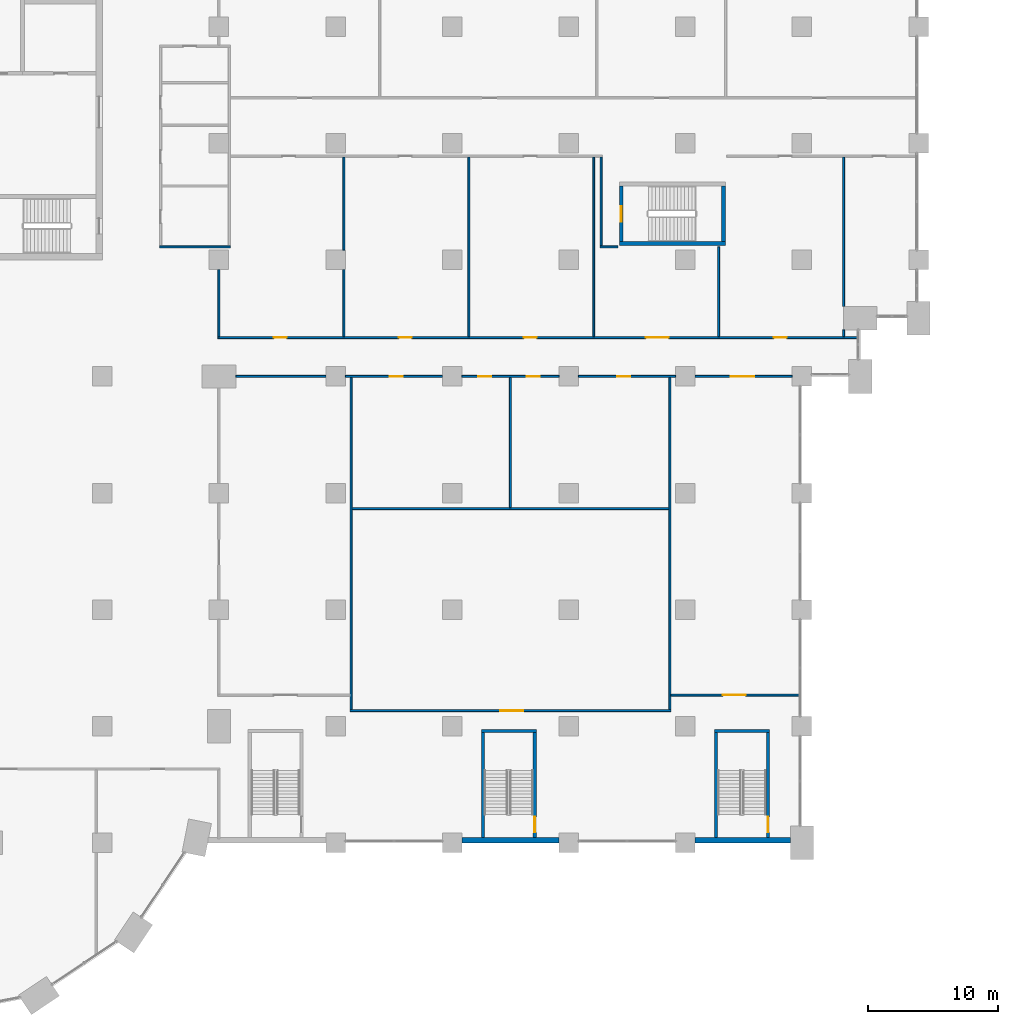
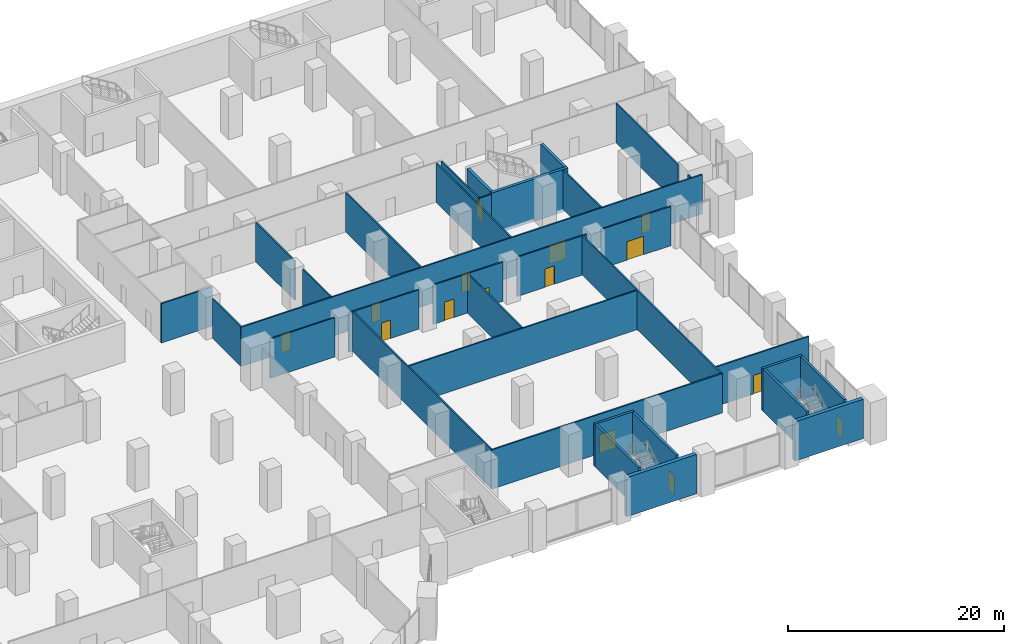
# One storey, part 14 of 31: 34 walls, 15 doors, 15 openings.
"""IFC4 building model written with IfcOpenShell, lengths in metres."""

from ifc_helpers import new_model, si_unit, direction, frame, frame_2d, origin, place, context, subcontext, project, spatial, rectangle, extrude, material, layer, layer_set, type_object, element, fill, save


model = new_model("IFC4")

# Units and contexts
model_context = context("Model", 3, precision=1e-05, world=origin(), true_north=direction((0.0, 1.0)))
body_context = subcontext(model_context, "Body", "Model", "MODEL_VIEW")
ifc_project = project(units=[si_unit("LENGTHUNIT", "METRE"), si_unit("AREAUNIT", "SQUARE_METRE"), si_unit("VOLUMEUNIT", "CUBIC_METRE"), si_unit("PLANEANGLEUNIT", "RADIAN"), si_unit("MASSUNIT", "GRAM", prefix="KILO")], contexts=[model_context])

# Site, building, storey
site_placement = place(None, origin())
site = spatial("IfcSite", under=ifc_project, at=site_placement, CompositionType="ELEMENT")
building_placement = place(site_placement, origin())
building = spatial("IfcBuilding", under=site, at=building_placement, Name="Hunhe Ridgeline Campus", CompositionType="ELEMENT")
storey_placement = place(building_placement, frame((0.0, 0.0, 16.800048828125)))
storey = spatial("IfcBuildingStorey", under=building, at=storey_placement, Name="L03", CompositionType="ELEMENT", Elevation=16.800048828125)

# Walls
ifc_material_1 = material(Name="Plastered blockwork", Category="masonry")
ifc_layer_1 = layer(ifc_material_1, 0.14990234375)
ifc_layer_set_1 = layer_set([ifc_layer_1], Name="Blockwork partition 150")
wall_type_1 = type_object("IfcWallType", Name="Blockwork partition 150", PredefinedType="PARTITIONING", material=ifc_layer_set_1)
wall_1_placement = place(storey_placement, frame((45.875, 64.0, 0.0), z_axis=(0.0, 0.0, 1.0), x_axis=(-1.0, 0.0, 0.0)))
element("IfcWall", 1, at=wall_1_placement, inside=storey, type_object=wall_type_1, Name="L03 partition", PredefinedType="PARTITIONING", context=body_context, shape_type="SweptSolid", body=[
    extrude(rectangle(XDim=5.449951171875, YDim=0.14990234375, at=frame_2d((2.72509765625, 0.0))), origin(), (0.0, 0.0, 1.0), 4.449951171875),
])
wall_2_placement = place(storey_placement, frame((74.425048828125, 64.0, 0.0), z_axis=(0.0, 0.0, 1.0), x_axis=(1.0, 0.0, 0.0)))
element("IfcWall", 2, at=wall_2_placement, inside=storey, type_object=wall_type_1, Name="L03 partition", PredefinedType="PARTITIONING", context=body_context, shape_type="SweptSolid", body=[
    extrude(rectangle(XDim=1.375, YDim=0.14990234375, at=frame_2d((0.6875, 0.0))), origin(), (0.0, 0.0, 1.0), 4.449951171875),
])
for number, where, z_axis, x_axis, name in (
    (3, (55.199951171875, 28.27490234375, 0.0), (0.0, 0.0, 1.0), (0.0, 1.0, 0.0), "L03 partition"),
    (4, (79.800048828125, 28.27490234375, 0.0), (0.0, 0.0, 1.0), (0.0, 1.0, 0.0), "L03 partition"),
):
    element("IfcWall", number, at=place(storey_placement, frame(where, z_axis=z_axis, x_axis=x_axis)), inside=storey, type_object=wall_type_1, Name=name, PredefinedType="PARTITIONING", context=body_context, shape_type="SweptSolid", body=[
        extrude(rectangle(XDim=25.650146484375, YDim=0.14990234375, at=frame_2d((12.8251953125, 0.0))), origin(), (0.0, 0.0, 1.0), 4.449951171875),
    ])
wall_3_placement = place(storey_placement, frame((55.27490234375, 43.800048828125, 0.0), z_axis=(0.0, 0.0, 1.0), x_axis=(1.0, 0.0, 0.0)))
element("IfcWall", 5, at=wall_3_placement, inside=storey, type_object=wall_type_1, Name="L03 partition", PredefinedType="PARTITIONING", context=body_context, shape_type="SweptSolid", body=[
    extrude(rectangle(XDim=24.4501953125, YDim=0.14990234375, at=frame_2d((12.22509765625, 0.0))), origin(), (0.0, 0.0, 1.0), 4.449951171875),
])

# Wall, opening, door
wall_4_placement = place(storey_placement, frame((79.875, 28.199951171875, 0.0), z_axis=(0.0, 0.0, 1.0), x_axis=(-1.0, 0.0, 0.0)))
wall_4 = element("IfcWall", 6, at=wall_4_placement, inside=storey, type_object=wall_type_1, Name="L03 partition", PredefinedType="PARTITIONING", context=body_context, shape_type="SweptSolid", body=[
    extrude(rectangle(XDim=24.75, YDim=0.14990234375, at=frame_2d((12.375, 0.0))), origin(), (0.0, 0.0, 1.0), 4.449951171875),
])
opening_1_placement = place(wall_4_placement, frame((11.375, 0.0, 0.0)))
opening_1 = element("IfcOpeningElement", 7, at=opening_1_placement, cuts=wall_4, Name="Opening PD408", PredefinedType="OPENING", context=body_context, shape_type="SweptSolid", body=[
    extrude(rectangle(XDim=1.800048828125, YDim=2.10009765625, at=frame_2d((0.89990234375, 1.050048828125))), frame((0.0, 0.074951171875, 0.0), z_axis=(0.0, -1.0, 0.0), x_axis=(1.0, 0.0, 0.0)), (0.0, 0.0, 1.0), 0.14990234375),
])
ifc_material_2 = material(Name="Timber", Category="wood")
door_type_1 = type_object("IfcDoorType", Name="Podium timber double door 1800x2100", OperationType="NOTDEFINED", PredefinedType="DOOR", material=ifc_material_2)
door_1_placement = place(opening_1_placement, origin())
door_1 = element("IfcDoor", 8, at=door_1_placement, inside=storey, type_object=door_type_1, Name="Library Reading Hall door", OperationType="DOUBLE_DOOR_SINGLE_SWING", OverallHeight=2.10009765625, OverallWidth=1.800048828125, PredefinedType="DOOR", context=body_context, shape_type="SweptSolid", body=[
    extrude(rectangle(XDim=1.800048828125, YDim=2.10009765625, at=frame_2d((0.89990234375, 1.050048828125))), frame((0.0, 0.02490234375, 0.0), z_axis=(0.0, -1.0, 0.0), x_axis=(1.0, 0.0, 0.0)), (0.0, 0.0, 1.0), 0.050048828125),
])
fill(opening_1, door_1)

wall_5_placement = place(storey_placement, frame((89.820068359375, 29.39990234375, 0.0), z_axis=(0.0, 0.0, 1.0), x_axis=(-1.0, 0.0, 0.0)))
wall_5 = element("IfcWall", 9, at=wall_5_placement, inside=storey, type_object=wall_type_1, Name="L03 partition", PredefinedType="PARTITIONING", context=body_context, shape_type="SweptSolid", body=[
    extrude(rectangle(XDim=9.945068359375, YDim=0.14990234375, at=frame_2d((4.97265625, 0.0))), origin(), (0.0, 0.0, 1.0), 4.449951171875),
])
opening_2_placement = place(wall_5_placement, frame((4.14501953125, 0.0, 0.0)))
opening_2 = element("IfcOpeningElement", 10, at=opening_2_placement, cuts=wall_5, Name="Opening PD411", PredefinedType="OPENING", context=body_context, shape_type="SweptSolid", body=[
    extrude(rectangle(XDim=1.800048828125, YDim=2.10009765625, at=frame_2d((0.89990234375, 1.050048828125))), frame((0.0, 0.074951171875, 0.0), z_axis=(0.0, -1.0, 0.0), x_axis=(1.0, 0.0, 0.0)), (0.0, 0.0, 1.0), 0.14990234375),
])
door_2_placement = place(opening_2_placement, origin())
door_2 = element("IfcDoor", 11, at=door_2_placement, inside=storey, type_object=door_type_1, Name="Group Study Room door", OperationType="DOUBLE_DOOR_SINGLE_SWING", OverallHeight=2.10009765625, OverallWidth=1.800048828125, PredefinedType="DOOR", context=body_context, shape_type="SweptSolid", body=[
    extrude(rectangle(XDim=1.800048828125, YDim=2.10009765625, at=frame_2d((0.89990234375, 1.050048828125))), frame((0.0, 0.02490234375, 0.0), z_axis=(0.0, -1.0, 0.0), x_axis=(1.0, 0.0, 0.0)), (0.0, 0.0, 1.0), 0.050048828125),
])
fill(opening_2, door_2)

# Walls
wall_6_placement = place(storey_placement, frame((45.0, 57.074951171875, 0.0), z_axis=(0.0, 0.0, 1.0), x_axis=(0.0, 1.0, 0.0)))
element("IfcWall", 12, at=wall_6_placement, inside=storey, type_object=wall_type_1, Name="L03 partition", PredefinedType="PARTITIONING", context=body_context, shape_type="SweptSolid", body=[
    extrude(rectangle(XDim=5.175048828125, YDim=0.14990234375, at=frame_2d((2.58740234375, 0.0))), origin(), (0.0, 0.0, 1.0), 4.449951171875),
])
wall_7_placement = place(storey_placement, frame((46.300048828125, 54.0, 0.0), z_axis=(0.0, 0.0, 1.0), x_axis=(1.0, 0.0, 0.0)))
element("IfcWall", 13, at=wall_7_placement, inside=storey, type_object=wall_type_1, Name="L03 partition", PredefinedType="PARTITIONING", context=body_context, shape_type="SweptSolid", body=[
    extrude(rectangle(XDim=6.949951171875, YDim=0.14990234375, at=frame_2d((3.47509765625, 0.0))), origin(), (0.0, 0.0, 1.0), 4.449951171875),
])

# Wall, opening, door
wall_8_placement = place(storey_placement, frame((54.75, 54.0, 0.0), z_axis=(0.0, 0.0, 1.0), x_axis=(1.0, 0.0, 0.0)))
wall_8 = element("IfcWall", 14, at=wall_8_placement, inside=storey, type_object=wall_type_1, Name="L03 partition", PredefinedType="PARTITIONING", context=body_context, shape_type="SweptSolid", body=[
    extrude(rectangle(XDim=7.5, YDim=0.14990234375, at=frame_2d((3.75, 0.0))), origin(), (0.0, 0.0, 1.0), 4.449951171875),
])
opening_3_placement = place(wall_8_placement, frame((3.449951171875, 0.0, 0.0)))
opening_3 = element("IfcOpeningElement", 15, at=opening_3_placement, cuts=wall_8, Name="Opening PD413", PredefinedType="OPENING", context=body_context, shape_type="SweptSolid", body=[
    extrude(rectangle(XDim=1.0, YDim=2.10009765625, at=frame_2d((0.5, 1.050048828125))), frame((0.0, 0.074951171875, 0.0), z_axis=(0.0, -1.0, 0.0), x_axis=(1.0, 0.0, 0.0)), (0.0, 0.0, 1.0), 0.14990234375),
])
door_type_2 = type_object("IfcDoorType", Name="Podium timber door 1000x2100", OperationType="NOTDEFINED", PredefinedType="DOOR", material=ifc_material_2)
door_3_placement = place(opening_3_placement, origin())
door_3 = element("IfcDoor", 16, at=door_3_placement, inside=storey, type_object=door_type_2, Name="Open Stacks door", OperationType="SINGLE_SWING_RIGHT", OverallHeight=2.10009765625, OverallWidth=1.0, PredefinedType="DOOR", context=body_context, shape_type="SweptSolid", body=[
    extrude(rectangle(XDim=1.0, YDim=2.10009765625, at=frame_2d((0.5, 1.050048828125))), frame((0.0, 0.02490234375, 0.0), z_axis=(0.0, -1.0, 0.0), x_axis=(1.0, 0.0, 0.0)), (0.0, 0.0, 1.0), 0.050048828125),
])
fill(opening_3, door_3)

# Wall, openings, doors
wall_9_placement = place(storey_placement, frame((63.75, 54.0, 0.0), z_axis=(0.0, 0.0, 1.0), x_axis=(1.0, 0.0, 0.0)))
wall_9 = element("IfcWall", 17, at=wall_9_placement, inside=storey, type_object=wall_type_1, Name="L03 partition", PredefinedType="PARTITIONING", context=body_context, shape_type="SweptSolid", body=[
    extrude(rectangle(XDim=7.5, YDim=0.14990234375, at=frame_2d((3.75, 0.0))), origin(), (0.0, 0.0, 1.0), 4.449951171875),
])
opening_4_placement = place(wall_9_placement, frame((1.25, 0.0, 0.0)))
opening_4 = element("IfcOpeningElement", 18, at=opening_4_placement, cuts=wall_9, Name="Opening PD414", PredefinedType="OPENING", context=body_context, shape_type="SweptSolid", body=[
    extrude(rectangle(XDim=1.0, YDim=2.10009765625, at=frame_2d((0.5, 1.050048828125))), frame((0.0, 0.074951171875, 0.0), z_axis=(0.0, -1.0, 0.0), x_axis=(1.0, 0.0, 0.0)), (0.0, 0.0, 1.0), 0.14990234375),
])
opening_5_placement = place(wall_9_placement, frame((5.0, 0.0, 0.0)))
opening_5 = element("IfcOpeningElement", 19, at=opening_5_placement, cuts=wall_9, Name="Opening PD416", PredefinedType="OPENING", context=body_context, shape_type="SweptSolid", body=[
    extrude(rectangle(XDim=1.0, YDim=2.10009765625, at=frame_2d((0.5, 1.050048828125))), frame((0.0, 0.074951171875, 0.0), z_axis=(0.0, -1.0, 0.0), x_axis=(1.0, 0.0, 0.0)), (0.0, 0.0, 1.0), 0.14990234375),
])
door_4_placement = place(opening_4_placement, origin())
door_4 = element("IfcDoor", 20, at=door_4_placement, inside=storey, type_object=door_type_2, Name="Open Stacks door", OperationType="SINGLE_SWING_LEFT", OverallHeight=2.10009765625, OverallWidth=1.0, PredefinedType="DOOR", context=body_context, shape_type="SweptSolid", body=[
    extrude(rectangle(XDim=1.0, YDim=2.10009765625, at=frame_2d((0.5, 1.050048828125))), frame((0.0, 0.02490234375, 0.0), z_axis=(0.0, -1.0, 0.0), x_axis=(1.0, 0.0, 0.0)), (0.0, 0.0, 1.0), 0.050048828125),
])
fill(opening_4, door_4)
door_5_placement = place(opening_5_placement, origin())
door_5 = element("IfcDoor", 21, at=door_5_placement, inside=storey, type_object=door_type_2, Name="Reference Stacks door", OperationType="SINGLE_SWING_RIGHT", OverallHeight=2.10009765625, OverallWidth=1.0, PredefinedType="DOOR", context=body_context, shape_type="SweptSolid", body=[
    extrude(rectangle(XDim=1.0, YDim=2.10009765625, at=frame_2d((0.5, 1.050048828125))), frame((0.0, 0.02490234375, 0.0), z_axis=(0.0, -1.0, 0.0), x_axis=(1.0, 0.0, 0.0)), (0.0, 0.0, 1.0), 0.050048828125),
])
fill(opening_5, door_5)

# Wall, opening, door
wall_10_placement = place(storey_placement, frame((72.75, 54.0, 0.0), z_axis=(0.0, 0.0, 1.0), x_axis=(1.0, 0.0, 0.0)))
wall_10 = element("IfcWall", 22, at=wall_10_placement, inside=storey, type_object=wall_type_1, Name="L03 partition", PredefinedType="PARTITIONING", context=body_context, shape_type="SweptSolid", body=[
    extrude(rectangle(XDim=7.5, YDim=0.14990234375, at=frame_2d((3.75, 0.0))), origin(), (0.0, 0.0, 1.0), 4.449951171875),
])
opening_6_placement = place(wall_10_placement, frame((3.0, 0.0, 0.0)))
opening_6 = element("IfcOpeningElement", 23, at=opening_6_placement, cuts=wall_10, Name="Opening PD415", PredefinedType="OPENING", context=body_context, shape_type="SweptSolid", body=[
    extrude(rectangle(XDim=1.0, YDim=2.10009765625, at=frame_2d((0.5, 1.050048828125))), frame((0.0, 0.074951171875, 0.0), z_axis=(0.0, -1.0, 0.0), x_axis=(1.0, 0.0, 0.0)), (0.0, 0.0, 1.0), 0.14990234375),
])
door_6_placement = place(opening_6_placement, origin())
door_6 = element("IfcDoor", 24, at=door_6_placement, inside=storey, type_object=door_type_2, Name="Reference Stacks door", OperationType="SINGLE_SWING_LEFT", OverallHeight=2.10009765625, OverallWidth=1.0, PredefinedType="DOOR", context=body_context, shape_type="SweptSolid", body=[
    extrude(rectangle(XDim=1.0, YDim=2.10009765625, at=frame_2d((0.5, 1.050048828125))), frame((0.0, 0.02490234375, 0.0), z_axis=(0.0, -1.0, 0.0), x_axis=(1.0, 0.0, 0.0)), (0.0, 0.0, 1.0), 0.050048828125),
])
fill(opening_6, door_6)

wall_11_placement = place(storey_placement, frame((81.75, 54.0, 0.0), z_axis=(0.0, 0.0, 1.0), x_axis=(1.0, 0.0, 0.0)))
wall_11 = element("IfcWall", 25, at=wall_11_placement, inside=storey, type_object=wall_type_1, Name="L03 partition", PredefinedType="PARTITIONING", context=body_context, shape_type="SweptSolid", body=[
    extrude(rectangle(XDim=7.5, YDim=0.14990234375, at=frame_2d((3.75, 0.0))), origin(), (0.0, 0.0, 1.0), 4.449951171875),
])
opening_7_placement = place(wall_11_placement, frame((2.75, 0.0, 0.0)))
opening_7 = element("IfcOpeningElement", 26, at=opening_7_placement, cuts=wall_11, Name="Opening PD412", PredefinedType="OPENING", context=body_context, shape_type="SweptSolid", body=[
    extrude(rectangle(XDim=1.800048828125, YDim=2.10009765625, at=frame_2d((0.89990234375, 1.050048828125))), frame((0.0, 0.074951171875, 0.0), z_axis=(0.0, -1.0, 0.0), x_axis=(1.0, 0.0, 0.0)), (0.0, 0.0, 1.0), 0.14990234375),
])
door_7_placement = place(opening_7_placement, origin())
door_7 = element("IfcDoor", 27, at=door_7_placement, inside=storey, type_object=door_type_1, Name="Group Study Room door", OperationType="DOUBLE_DOOR_SINGLE_SWING", OverallHeight=2.10009765625, OverallWidth=1.800048828125, PredefinedType="DOOR", context=body_context, shape_type="SweptSolid", body=[
    extrude(rectangle(XDim=1.800048828125, YDim=2.10009765625, at=frame_2d((0.89990234375, 1.050048828125))), frame((0.0, 0.02490234375, 0.0), z_axis=(0.0, -1.0, 0.0), x_axis=(1.0, 0.0, 0.0)), (0.0, 0.0, 1.0), 0.050048828125),
])
fill(opening_7, door_7)

# Walls
wall_12_placement = place(storey_placement, frame((67.5, 43.875, 0.0), z_axis=(0.0, 0.0, 1.0), x_axis=(0.0, 1.0, 0.0)))
element("IfcWall", 28, at=wall_12_placement, inside=storey, type_object=wall_type_1, Name="L03 partition", PredefinedType="PARTITIONING", context=body_context, shape_type="SweptSolid", body=[
    extrude(rectangle(XDim=10.050048828125, YDim=0.14990234375, at=frame_2d((5.02490234375, 0.0))), origin(), (0.0, 0.0, 1.0), 4.449951171875),
])
wall_13_placement = place(storey_placement, frame((54.64306640625, 57.074951171875, 0.0), z_axis=(0.0, 0.0, 1.0), x_axis=(0.0, 1.0, 0.0)))
element("IfcWall", 29, at=wall_13_placement, inside=storey, type_object=wall_type_1, Name="L03 partition", PredefinedType="PARTITIONING", context=body_context, shape_type="SweptSolid", body=[
    extrude(rectangle(XDim=5.175048828125, YDim=0.14990234375, at=frame_2d((2.58740234375, 0.0))), origin(), (0.0, 0.0, 1.0), 4.449951171875),
])
wall_14_placement = place(storey_placement, frame((54.64306640625, 63.75, 0.0), z_axis=(0.0, 0.0, 1.0), x_axis=(0.0, 1.0, 0.0)))
element("IfcWall", 30, at=wall_14_placement, inside=storey, type_object=wall_type_1, Name="L03 partition", PredefinedType="PARTITIONING", context=body_context, shape_type="SweptSolid", body=[
    extrude(rectangle(XDim=7.175048828125, YDim=0.14990234375, at=frame_2d((3.58740234375, 0.0))), origin(), (0.0, 0.0, 1.0), 4.449951171875),
])

# Wall, openings, doors
wall_15_placement = place(storey_placement, frame((94.320068359375, 57.0, 0.0), z_axis=(0.0, 0.0, 1.0), x_axis=(-1.0, 0.0, 0.0)))
wall_15 = element("IfcWall", 31, at=wall_15_placement, inside=storey, type_object=wall_type_1, Name="L03 partition", PredefinedType="PARTITIONING", context=body_context, shape_type="SweptSolid", body=[
    extrude(rectangle(XDim=49.39501953125, YDim=0.14990234375, at=frame_2d((24.697509765625, 0.0))), origin(), (0.0, 0.0, 1.0), 4.449951171875),
])
opening_8_placement = place(wall_15_placement, frame((44.070068359375, 0.0, 0.0)))
opening_8 = element("IfcOpeningElement", 32, at=opening_8_placement, cuts=wall_15, Name="Opening PD423", PredefinedType="OPENING", context=body_context, shape_type="SweptSolid", body=[
    extrude(rectangle(XDim=1.0, YDim=2.10009765625, at=frame_2d((0.5, 1.050048828125))), frame((0.0, 0.074951171875, 0.0), z_axis=(0.0, -1.0, 0.0), x_axis=(1.0, 0.0, 0.0)), (0.0, 0.0, 1.0), 0.14990234375),
])
opening_9_placement = place(wall_15_placement, frame((34.427001953125, 0.0, 0.0)))
opening_9 = element("IfcOpeningElement", 33, at=opening_9_placement, cuts=wall_15, Name="Opening PD425", PredefinedType="OPENING", context=body_context, shape_type="SweptSolid", body=[
    extrude(rectangle(XDim=1.0, YDim=2.10009765625, at=frame_2d((0.5, 1.050048828125))), frame((0.0, 0.074951171875, 0.0), z_axis=(0.0, -1.0, 0.0), x_axis=(1.0, 0.0, 0.0)), (0.0, 0.0, 1.0), 0.14990234375),
])
opening_10_placement = place(wall_15_placement, frame((24.783935546875, 0.0, 0.0)))
opening_10 = element("IfcOpeningElement", 34, at=opening_10_placement, cuts=wall_15, Name="Opening PD427", PredefinedType="OPENING", context=body_context, shape_type="SweptSolid", body=[
    extrude(rectangle(XDim=1.0, YDim=2.10009765625, at=frame_2d((0.5, 1.050048828125))), frame((0.0, 0.074951171875, 0.0), z_axis=(0.0, -1.0, 0.0), x_axis=(1.0, 0.0, 0.0)), (0.0, 0.0, 1.0), 0.14990234375),
])
opening_11_placement = place(wall_15_placement, frame((14.591064453125, 0.0, 0.0)))
opening_11 = element("IfcOpeningElement", 35, at=opening_11_placement, cuts=wall_15, Name="Opening PD429", PredefinedType="OPENING", context=body_context, shape_type="SweptSolid", body=[
    extrude(rectangle(XDim=1.800048828125, YDim=2.10009765625, at=frame_2d((0.89990234375, 1.050048828125))), frame((0.0, 0.074951171875, 0.0), z_axis=(0.0, -1.0, 0.0), x_axis=(1.0, 0.0, 0.0)), (0.0, 0.0, 1.0), 0.14990234375),
])
opening_12_placement = place(wall_15_placement, frame((5.4990234375, 0.0, 0.0)))
opening_12 = element("IfcOpeningElement", 36, at=opening_12_placement, cuts=wall_15, Name="Opening PD430", PredefinedType="OPENING", context=body_context, shape_type="SweptSolid", body=[
    extrude(rectangle(XDim=1.0, YDim=2.10009765625, at=frame_2d((0.5, 1.050048828125))), frame((0.0, 0.074951171875, 0.0), z_axis=(0.0, -1.0, 0.0), x_axis=(1.0, 0.0, 0.0)), (0.0, 0.0, 1.0), 0.14990234375),
])
door_8_placement = place(opening_8_placement, origin())
door_8 = element("IfcDoor", 37, at=door_8_placement, inside=storey, type_object=door_type_2, Name="Open Stacks door", OperationType="SINGLE_SWING_RIGHT", OverallHeight=2.10009765625, OverallWidth=1.0, PredefinedType="DOOR", context=body_context, shape_type="SweptSolid", body=[
    extrude(rectangle(XDim=1.0, YDim=2.10009765625, at=frame_2d((0.5, 1.050048828125))), frame((0.0, 0.02490234375, 0.0), z_axis=(0.0, -1.0, 0.0), x_axis=(1.0, 0.0, 0.0)), (0.0, 0.0, 1.0), 0.050048828125),
])
fill(opening_8, door_8)
door_9_placement = place(opening_9_placement, origin())
door_9 = element("IfcDoor", 38, at=door_9_placement, inside=storey, type_object=door_type_2, Name="Open Stacks door", OperationType="SINGLE_SWING_RIGHT", OverallHeight=2.10009765625, OverallWidth=1.0, PredefinedType="DOOR", context=body_context, shape_type="SweptSolid", body=[
    extrude(rectangle(XDim=1.0, YDim=2.10009765625, at=frame_2d((0.5, 1.050048828125))), frame((0.0, 0.02490234375, 0.0), z_axis=(0.0, -1.0, 0.0), x_axis=(1.0, 0.0, 0.0)), (0.0, 0.0, 1.0), 0.050048828125),
])
fill(opening_9, door_9)
door_10_placement = place(opening_10_placement, origin())
door_10 = element("IfcDoor", 39, at=door_10_placement, inside=storey, type_object=door_type_2, Name="Open Stacks door", OperationType="SINGLE_SWING_RIGHT", OverallHeight=2.10009765625, OverallWidth=1.0, PredefinedType="DOOR", context=body_context, shape_type="SweptSolid", body=[
    extrude(rectangle(XDim=1.0, YDim=2.10009765625, at=frame_2d((0.5, 1.050048828125))), frame((0.0, 0.02490234375, 0.0), z_axis=(0.0, -1.0, 0.0), x_axis=(1.0, 0.0, 0.0)), (0.0, 0.0, 1.0), 0.050048828125),
])
fill(opening_10, door_10)
door_11_placement = place(opening_12_placement, origin())
door_11 = element("IfcDoor", 40, at=door_11_placement, inside=storey, type_object=door_type_2, Name="Digital Resources Room door", OperationType="SINGLE_SWING_LEFT", OverallHeight=2.10009765625, OverallWidth=1.0, PredefinedType="DOOR", context=body_context, shape_type="SweptSolid", body=[
    extrude(rectangle(XDim=1.0, YDim=2.10009765625, at=frame_2d((0.5, 1.050048828125))), frame((0.0, 0.02490234375, 0.0), z_axis=(0.0, -1.0, 0.0), x_axis=(1.0, 0.0, 0.0)), (0.0, 0.0, 1.0), 0.050048828125),
])
fill(opening_12, door_11)
door_12_placement = place(opening_11_placement, origin())
door_12 = element("IfcDoor", 41, at=door_12_placement, inside=storey, type_object=door_type_1, Name="Periodicals Reading Room door", OperationType="DOUBLE_DOOR_SINGLE_SWING", OverallHeight=2.10009765625, OverallWidth=1.800048828125, PredefinedType="DOOR", context=body_context, shape_type="SweptSolid", body=[
    extrude(rectangle(XDim=1.800048828125, YDim=2.10009765625, at=frame_2d((0.89990234375, 1.050048828125))), frame((0.0, 0.02490234375, 0.0), z_axis=(0.0, -1.0, 0.0), x_axis=(1.0, 0.0, 0.0)), (0.0, 0.0, 1.0), 0.050048828125),
])
fill(opening_11, door_12)

# Walls
for number, where, z_axis, x_axis, name in (
    (42, (64.285888671875, 57.074951171875, 0.0), (0.0, 0.0, 1.0), (0.0, 1.0, 0.0), "L03 partition"),
    (43, (73.928955078125, 57.074951171875, 0.0), (0.0, 0.0, 1.0), (0.0, 1.0, 0.0), "L03 partition"),
):
    element("IfcWall", number, at=place(storey_placement, frame(where, z_axis=z_axis, x_axis=x_axis)), inside=storey, type_object=wall_type_1, Name=name, PredefinedType="PARTITIONING", context=body_context, shape_type="SweptSolid", body=[
        extrude(rectangle(XDim=13.85009765625, YDim=0.14990234375, at=frame_2d((6.925048828125, 0.0))), origin(), (0.0, 0.0, 1.0), 4.449951171875),
    ])
wall_16_placement = place(storey_placement, frame((83.571044921875, 57.074951171875, 0.0), z_axis=(0.0, 0.0, 1.0), x_axis=(0.0, 1.0, 0.0)))
element("IfcWall", 44, at=wall_16_placement, inside=storey, type_object=wall_type_1, Name="L03 partition", PredefinedType="PARTITIONING", context=body_context, shape_type="SweptSolid", body=[
    extrude(rectangle(XDim=6.925048828125, YDim=0.14990234375, at=frame_2d((3.46240234375, 0.0))), origin(), (0.0, 0.0, 1.0), 4.449951171875),
])
wall_17_placement = place(storey_placement, frame((74.5, 70.925048828125, 0.0), z_axis=(0.0, 0.0, 1.0), x_axis=(0.0, -1.0, 0.0)))
element("IfcWall", 45, at=wall_17_placement, inside=storey, type_object=wall_type_1, Name="L03 partition", PredefinedType="PARTITIONING", context=body_context, shape_type="SweptSolid", body=[
    extrude(rectangle(XDim=6.85009765625, YDim=0.14990234375, at=frame_2d((3.425048828125, 0.0))), origin(), (0.0, 0.0, 1.0), 4.449951171875),
])
wall_18_placement = place(storey_placement, frame((93.214111328125, 57.074951171875, 0.0), z_axis=(0.0, 0.0, 1.0), x_axis=(0.0, 1.0, 0.0)))
element("IfcWall", 46, at=wall_18_placement, inside=storey, type_object=wall_type_1, Name="L03 partition", PredefinedType="PARTITIONING", context=body_context, shape_type="SweptSolid", body=[
    extrude(rectangle(XDim=0.525146484375, YDim=0.14990234375, at=frame_2d((0.2626953125, 0.0))), origin(), (0.0, 0.0, 1.0), 4.449951171875),
])
wall_19_placement = place(storey_placement, frame((93.214111328125, 59.39990234375, 0.0), z_axis=(0.0, 0.0, 1.0), x_axis=(0.0, 1.0, 0.0)))
element("IfcWall", 47, at=wall_19_placement, inside=storey, type_object=wall_type_1, Name="L03 partition", PredefinedType="PARTITIONING", context=body_context, shape_type="SweptSolid", body=[
    extrude(rectangle(XDim=11.525146484375, YDim=0.14990234375, at=frame_2d((5.7626953125, 0.0))), origin(), (0.0, 0.0, 1.0), 4.449951171875),
])
ifc_material_3 = material(Name="Concrete C40", Category="concrete")
ifc_layer_2 = layer(ifc_material_3, 0.39990234375)
ifc_layer_set_2 = layer_set([ifc_layer_2], Name="Stair shaft facade wall 400 C40")
wall_type_2 = type_object("IfcWallType", Name="Stair shaft facade wall 400 C40", PredefinedType="SOLIDWALL", material=ifc_layer_set_2)
wall_20_placement = place(storey_placement, frame((71.25, 18.199951171875, 0.0), z_axis=(0.0, 0.0, 1.0), x_axis=(-1.0, 0.0, 0.0)))
element("IfcWall", 48, at=wall_20_placement, inside=storey, type_object=wall_type_2, Name="L03 stair facade wall", PredefinedType="SOLIDWALL", context=body_context, shape_type="SweptSolid", body=[
    extrude(rectangle(XDim=7.5, YDim=0.39990234375, at=frame_2d((3.75, 0.0))), origin(), (0.0, 0.0, 1.0), 4.449951171875),
])
wall_21_placement = place(storey_placement, frame((89.10009765625, 18.199951171875, 0.0), z_axis=(0.0, 0.0, 1.0), x_axis=(-1.0, 0.0, 0.0)))
element("IfcWall", 49, at=wall_21_placement, inside=storey, type_object=wall_type_2, Name="L03 stair facade wall", PredefinedType="SOLIDWALL", context=body_context, shape_type="SweptSolid", body=[
    extrude(rectangle(XDim=7.35009765625, YDim=0.39990234375, at=frame_2d((3.675048828125, 0.0))), origin(), (0.0, 0.0, 1.0), 4.449951171875),
])
ifc_layer_3 = layer(ifc_material_3, 0.25)
ifc_layer_set_3 = layer_set([ifc_layer_3], Name="Stair shaft wall 250 C40")
wall_type_3 = type_object("IfcWallType", Name="Stair shaft wall 250 C40", PredefinedType="SOLIDWALL", material=ifc_layer_set_3)
wall_22_placement = place(storey_placement, frame((65.375, 18.39990234375, 0.0), z_axis=(0.0, 0.0, 1.0), x_axis=(0.0, 1.0, 0.0)))
element("IfcWall", 50, at=wall_22_placement, inside=storey, type_object=wall_type_3, Name="L03 PS2 shaft wall", PredefinedType="SOLIDWALL", context=body_context, shape_type="SweptSolid", body=[
    extrude(rectangle(XDim=8.10009765625, YDim=0.25, at=frame_2d((4.050048828125, 0.0))), origin(), (0.0, 0.0, 1.0), 4.800048828125),
])

# Wall, opening, door
wall_23_placement = place(storey_placement, frame((69.375, 26.5, 0.0), z_axis=(0.0, 0.0, 1.0), x_axis=(0.0, -1.0, 0.0)))
wall_23 = element("IfcWall", 51, at=wall_23_placement, inside=storey, type_object=wall_type_3, Name="L03 PS2 shaft wall", PredefinedType="SOLIDWALL", context=body_context, shape_type="SweptSolid", body=[
    extrude(rectangle(XDim=8.10009765625, YDim=0.25, at=frame_2d((4.050048828125, 0.0))), origin(), (0.0, 0.0, 1.0), 4.800048828125),
])
opening_13_placement = place(wall_23_placement, frame((6.5, 0.0, 0.0)))
opening_13 = element("IfcOpeningElement", 52, at=opening_13_placement, cuts=wall_23, Name="Opening PD402", PredefinedType="OPENING", context=body_context, shape_type="SweptSolid", body=[
    extrude(rectangle(XDim=1.199951171875, YDim=2.10009765625, at=frame_2d((0.60009765625, 1.050048828125))), frame((0.0, 0.125, 0.0), z_axis=(0.0, -1.0, 0.0), x_axis=(1.0, 0.0, 0.0)), (0.0, 0.0, 1.0), 0.25),
])
ifc_material_4 = material(Name="Steel Q235", Category="steel")
door_type_3 = type_object("IfcDoorType", Name="Podium fire door 1200x2100 FD60", OperationType="NOTDEFINED", PredefinedType="DOOR", material=ifc_material_4)
door_13_placement = place(opening_13_placement, origin())
door_13 = element("IfcDoor", 53, at=door_13_placement, inside=storey, type_object=door_type_3, Name="Stair door PS2", OperationType="SINGLE_SWING_LEFT", OverallHeight=2.10009765625, OverallWidth=1.199951171875, PredefinedType="DOOR", context=body_context, shape_type="SweptSolid", body=[
    extrude(rectangle(XDim=1.199951171875, YDim=2.10009765625, at=frame_2d((0.60009765625, 1.050048828125))), frame((0.0, 0.02490234375, 0.0), z_axis=(0.0, -1.0, 0.0), x_axis=(1.0, 0.0, 0.0)), (0.0, 0.0, 1.0), 0.050048828125),
])
fill(opening_13, door_13)

# Walls
wall_24_placement = place(storey_placement, frame((65.25, 26.625, 0.0), z_axis=(0.0, 0.0, 1.0), x_axis=(1.0, 0.0, 0.0)))
element("IfcWall", 54, at=wall_24_placement, inside=storey, type_object=wall_type_3, Name="L03 PS2 shaft wall", PredefinedType="SOLIDWALL", context=body_context, shape_type="SweptSolid", body=[
    extrude(rectangle(XDim=4.25, YDim=0.25, at=frame_2d((2.125, 0.0))), origin(), (0.0, 0.0, 1.0), 4.800048828125),
])
wall_25_placement = place(storey_placement, frame((83.375, 18.39990234375, 0.0), z_axis=(0.0, 0.0, 1.0), x_axis=(0.0, 1.0, 0.0)))
element("IfcWall", 55, at=wall_25_placement, inside=storey, type_object=wall_type_3, Name="L03 PS3 shaft wall", PredefinedType="SOLIDWALL", context=body_context, shape_type="SweptSolid", body=[
    extrude(rectangle(XDim=8.10009765625, YDim=0.25, at=frame_2d((4.050048828125, 0.0))), origin(), (0.0, 0.0, 1.0), 4.800048828125),
])

# Wall, opening, door
wall_26_placement = place(storey_placement, frame((87.375, 26.5, 0.0), z_axis=(0.0, 0.0, 1.0), x_axis=(0.0, -1.0, 0.0)))
wall_26 = element("IfcWall", 56, at=wall_26_placement, inside=storey, type_object=wall_type_3, Name="L03 PS3 shaft wall", PredefinedType="SOLIDWALL", context=body_context, shape_type="SweptSolid", body=[
    extrude(rectangle(XDim=8.10009765625, YDim=0.25, at=frame_2d((4.050048828125, 0.0))), origin(), (0.0, 0.0, 1.0), 4.800048828125),
])
opening_14_placement = place(wall_26_placement, frame((6.5, 0.0, 0.0)))
opening_14 = element("IfcOpeningElement", 57, at=opening_14_placement, cuts=wall_26, Name="Opening PD403", PredefinedType="OPENING", context=body_context, shape_type="SweptSolid", body=[
    extrude(rectangle(XDim=1.199951171875, YDim=2.10009765625, at=frame_2d((0.60009765625, 1.050048828125))), frame((0.0, 0.125, 0.0), z_axis=(0.0, -1.0, 0.0), x_axis=(1.0, 0.0, 0.0)), (0.0, 0.0, 1.0), 0.25),
])
door_14_placement = place(opening_14_placement, origin())
door_14 = element("IfcDoor", 58, at=door_14_placement, inside=storey, type_object=door_type_3, Name="Stair door PS3", OperationType="SINGLE_SWING_LEFT", OverallHeight=2.10009765625, OverallWidth=1.199951171875, PredefinedType="DOOR", context=body_context, shape_type="SweptSolid", body=[
    extrude(rectangle(XDim=1.199951171875, YDim=2.10009765625, at=frame_2d((0.60009765625, 1.050048828125))), frame((0.0, 0.02490234375, 0.0), z_axis=(0.0, -1.0, 0.0), x_axis=(1.0, 0.0, 0.0)), (0.0, 0.0, 1.0), 0.050048828125),
])
fill(opening_14, door_14)

# Walls
wall_27_placement = place(storey_placement, frame((83.25, 26.625, 0.0), z_axis=(0.0, 0.0, 1.0), x_axis=(1.0, 0.0, 0.0)))
element("IfcWall", 59, at=wall_27_placement, inside=storey, type_object=wall_type_3, Name="L03 PS3 shaft wall", PredefinedType="SOLIDWALL", context=body_context, shape_type="SweptSolid", body=[
    extrude(rectangle(XDim=4.25, YDim=0.25, at=frame_2d((2.125, 0.0))), origin(), (0.0, 0.0, 1.0), 4.800048828125),
])
ifc_material_5 = material(Name="Concrete C80", Category="concrete")
ifc_layer_4 = layer(ifc_material_5, 0.300048828125)
ifc_layer_set_4 = layer_set([ifc_layer_4], Name="Stair wall 300 reinforced concrete C80")
wall_type_4 = type_object("IfcWallType", Name="Stair wall 300 reinforced concrete C80", PredefinedType="SOLIDWALL", material=ifc_layer_set_4)
wall_28_placement = place(storey_placement, frame((75.89990234375, 64.25, -0.35009765625), z_axis=(0.0, 0.0, 1.0), x_axis=(1.0, 0.0, 0.0)))
element("IfcWall", 60, at=wall_28_placement, inside=storey, type_object=wall_type_4, Name="L03 core wall 8", PredefinedType="SOLIDWALL", context=body_context, shape_type="SweptSolid", body=[
    extrude(rectangle(XDim=8.2001953125, YDim=0.300048828125, at=frame_2d((4.10009765625, 0.0))), origin(), (0.0, 0.0, 1.0), 4.800048828125),
])

# Wall, opening, door
wall_29_placement = place(storey_placement, frame((76.050048828125, 64.39990234375, -0.35009765625), z_axis=(0.0, 0.0, 1.0), x_axis=(0.0, 1.0, 0.0)))
wall_29 = element("IfcWall", 61, at=wall_29_placement, inside=storey, type_object=wall_type_4, Name="L03 core wall 71", PredefinedType="SOLIDWALL", context=body_context, shape_type="SweptSolid", body=[
    extrude(rectangle(XDim=4.300048828125, YDim=0.300048828125, at=frame_2d((2.14990234375, 0.0))), origin(), (0.0, 0.0, 1.0), 4.800048828125),
])
opening_15_placement = place(wall_29_placement, frame((1.550048828125, 0.0, 0.35009765625)))
opening_15 = element("IfcOpeningElement", 62, at=opening_15_placement, cuts=wall_29, Name="Opening CD24", PredefinedType="OPENING", context=body_context, shape_type="SweptSolid", body=[
    extrude(rectangle(XDim=1.199951171875, YDim=2.10009765625, at=frame_2d((0.60009765625, 1.050048828125))), frame((0.0, 0.14990234375, 0.0), z_axis=(0.0, -1.0, 0.0), x_axis=(1.0, 0.0, 0.0)), (0.0, 0.0, 1.0), 0.300048828125),
])
ifc_material_6 = material(Name="Hollow metal fire door leaf")
door_type_4 = type_object("IfcDoorType", Name="Stair door 1200x2100 FD60", OperationType="SINGLE_SWING_LEFT", PredefinedType="DOOR", material=ifc_material_6)
door_15_placement = place(opening_15_placement, origin())
door_15 = element("IfcDoor", 63, at=door_15_placement, inside=storey, type_object=door_type_4, Name="L03 door E5", OperationType="SINGLE_SWING_RIGHT", OverallHeight=2.10009765625, OverallWidth=1.199951171875, PredefinedType="DOOR", context=body_context, shape_type="SweptSolid", body=[
    extrude(rectangle(XDim=1.199951171875, YDim=2.10009765625, at=frame_2d((0.60009765625, 1.050048828125))), frame((0.0, 0.02490234375, 0.0), z_axis=(0.0, -1.0, 0.0), x_axis=(1.0, 0.0, 0.0)), (0.0, 0.0, 1.0), 0.050048828125),
])
fill(opening_15, door_15)

# Wall
wall_30_placement = place(storey_placement, frame((83.949951171875, 64.39990234375, -0.35009765625), z_axis=(0.0, 0.0, 1.0), x_axis=(0.0, 1.0, 0.0)))
element("IfcWall", 64, at=wall_30_placement, inside=storey, type_object=wall_type_4, Name="L03 core wall 72", PredefinedType="SOLIDWALL", context=body_context, shape_type="SweptSolid", body=[
    extrude(rectangle(XDim=4.300048828125, YDim=0.300048828125, at=frame_2d((2.14990234375, 0.0))), origin(), (0.0, 0.0, 1.0), 4.800048828125),
])

save(model, "model.ifc")
